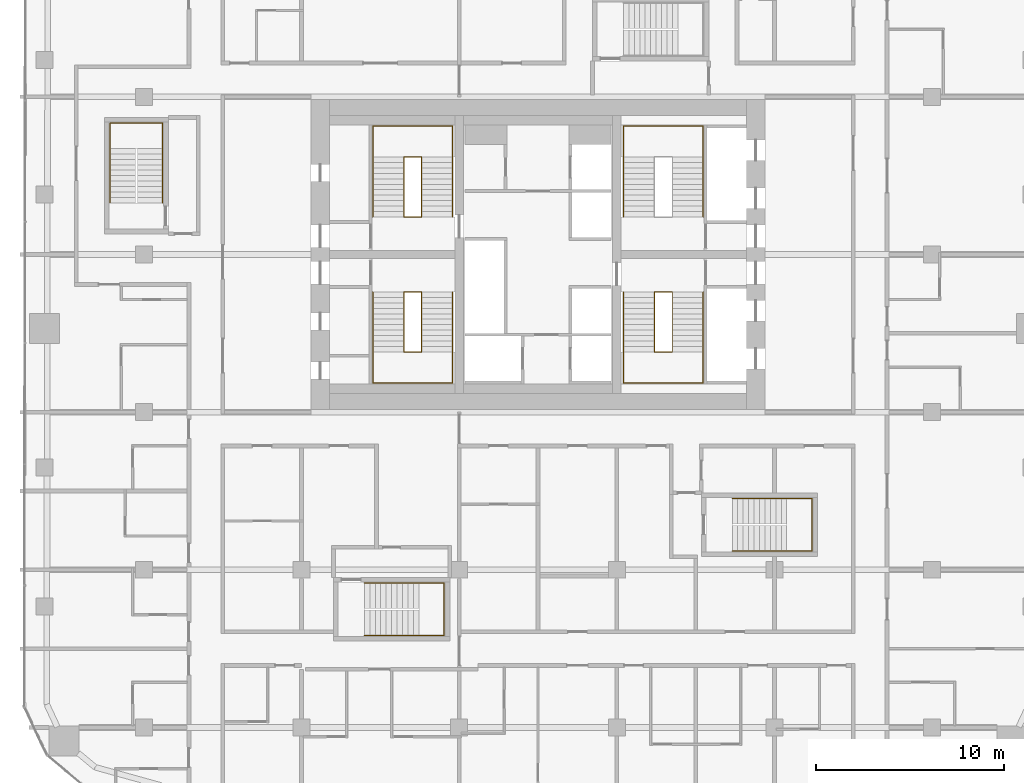
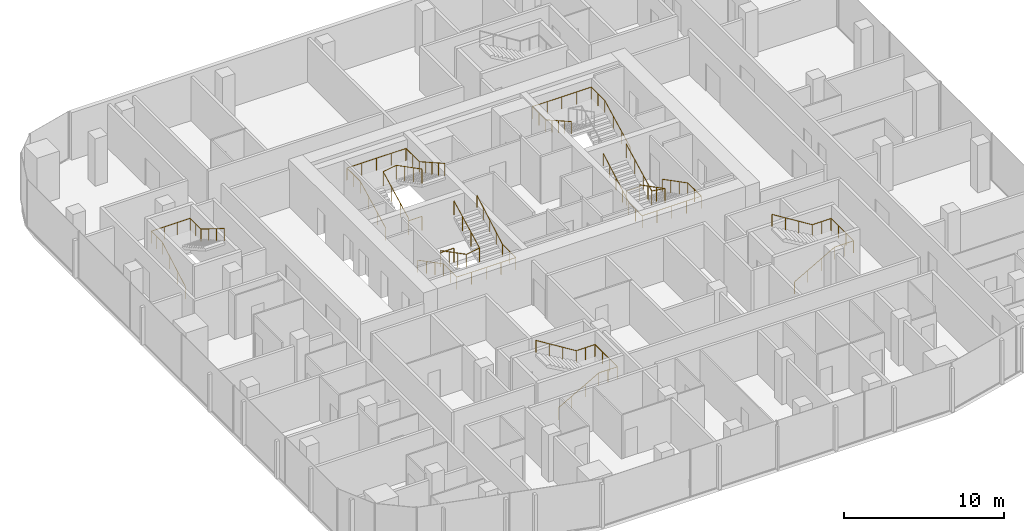
# One storey, part 22 of 23: 10 railings.
"""IFC4 building model written with IfcOpenShell, lengths in metres."""

from ifc_helpers import new_model, si_unit, direction, frame, origin, origin_2d, place, context, subcontext, project, spatial, circle, extrude, material, type_object, element, save


model = new_model("IFC4")

# Units and contexts
model_context = context("Model", 3, precision=1e-05, world=origin(), true_north=direction((0.0, 1.0)))
body_context = subcontext(model_context, "Body", "Model", "MODEL_VIEW")
ifc_project = project(units=[si_unit("LENGTHUNIT", "METRE"), si_unit("AREAUNIT", "SQUARE_METRE"), si_unit("VOLUMEUNIT", "CUBIC_METRE"), si_unit("PLANEANGLEUNIT", "RADIAN"), si_unit("MASSUNIT", "GRAM", prefix="KILO")], contexts=[model_context])

# Site, building, storey
site_placement = place(None, origin())
site = spatial("IfcSite", under=ifc_project, at=site_placement, CompositionType="ELEMENT")
building_placement = place(site_placement, origin())
building = spatial("IfcBuilding", under=site, at=building_placement, Name="Marenta Gate Hotel Tower", CompositionType="ELEMENT")
storey_placement = place(building_placement, frame((0.0, 0.0, 155.300048828125)))
storey = spatial("IfcBuildingStorey", under=building, at=storey_placement, Name="L36", CompositionType="ELEMENT", Elevation=155.300048828125)

# Railings
ifc_material_1 = material(Name="Stainless steel", Category="steel")
railing_type_1 = type_object("IfcRailingType", Name="Core stair handrail 950", PredefinedType="HANDRAIL", material=ifc_material_1)
railing_1_placement = place(storey_placement, frame((-8.800048828125, 6.39990234375, 0.14990234375)))
element("IfcRailing", 1, at=railing_1_placement, inside=storey, type_object=railing_type_1, Name="HR-950 L36-KR-ST1-1", PredefinedType="HANDRAIL", context=body_context, shape_type="SweptSolid", body=[
    extrude(circle(Radius=0.02392578125, at=origin_2d()), frame((0.0, 0.0, 0.92578125), z_axis=(0.0, -0.888197555067, 0.459461753765), x_axis=(1.0, 0.0, 0.0)), (0.0, 0.0, 1.0), 3.591552734375),
    extrude(circle(Radius=0.02392578125, at=origin_2d()), frame((0.0, -3.18994140625, 2.576171875), z_axis=(0.0, -1.0, 0.0), x_axis=(1.0, 0.0, 0.0)), (0.0, 0.0, 1.0), 1.659912109375),
    extrude(circle(Radius=0.02392578125, at=origin_2d()), frame((0.0, -4.849853515625, 2.576171875), z_axis=(1.0, 0.0, 0.0), x_axis=(0.0, 1.0, 0.0)), (0.0, 0.0, 1.0), 4.25),
    extrude(circle(Radius=0.02392578125, at=origin_2d()), frame((4.25, -4.849853515625, 2.576171875), z_axis=(0.0, 1.0, 0.0), x_axis=(-1.0, 0.0, 0.0)), (0.0, 0.0, 1.0), 1.659912109375),
    extrude(circle(Radius=0.02392578125, at=origin_2d()), frame((4.25, -3.18994140625, 2.576171875), z_axis=(0.0, 0.870937506535, 0.491393792911), x_axis=(-1.0, 0.0, 0.0)), (0.0, 0.0, 1.0), 3.66259765625),
    extrude(circle(Radius=0.02099609375, at=origin_2d()), origin(), (0.0, 0.0, 1.0), 0.90185546875),
    extrude(circle(Radius=0.02099609375, at=origin_2d()), frame((0.0, -1.063232421875, 0.550048828125)), (0.0, 0.0, 1.0), 0.90185546875),
    extrude(circle(Radius=0.02099609375, at=origin_2d()), frame((0.0, -2.126708984375, 1.10009765625)), (0.0, 0.0, 1.0), 0.90185546875),
    extrude(circle(Radius=0.02099609375, at=origin_2d()), frame((0.0, -3.18994140625, 1.650146484375)), (0.0, 0.0, 1.0), 0.90185546875),
    extrude(circle(Radius=0.02099609375, at=origin_2d()), frame((0.0, -4.02001953125, 1.650146484375)), (0.0, 0.0, 1.0), 0.90185546875),
    extrude(circle(Radius=0.02099609375, at=origin_2d()), frame((0.0, -4.849853515625, 1.650146484375)), (0.0, 0.0, 1.0), 0.90185546875),
    extrude(circle(Radius=0.02099609375, at=origin_2d()), frame((1.0625, -4.849853515625, 1.650146484375)), (0.0, 0.0, 1.0), 0.90185546875),
    extrude(circle(Radius=0.02099609375, at=origin_2d()), frame((2.125, -4.849853515625, 1.650146484375)), (0.0, 0.0, 1.0), 0.90185546875),
    extrude(circle(Radius=0.02099609375, at=origin_2d()), frame((3.1875, -4.849853515625, 1.650146484375)), (0.0, 0.0, 1.0), 0.90185546875),
    extrude(circle(Radius=0.02099609375, at=origin_2d()), frame((4.25, -4.849853515625, 1.650146484375)), (0.0, 0.0, 1.0), 0.90185546875),
    extrude(circle(Radius=0.02099609375, at=origin_2d()), frame((4.25, -4.02001953125, 1.650146484375)), (0.0, 0.0, 1.0), 0.90185546875),
    extrude(circle(Radius=0.02099609375, at=origin_2d()), frame((4.25, -3.18994140625, 1.650146484375)), (0.0, 0.0, 1.0), 0.90185546875),
    extrude(circle(Radius=0.02099609375, at=origin_2d()), frame((4.25, -2.392578125, 2.10009765625)), (0.0, 0.0, 1.0), 0.90185546875),
    extrude(circle(Radius=0.02099609375, at=origin_2d()), frame((4.25, -1.594970703125, 2.550048828125)), (0.0, 0.0, 1.0), 0.90185546875),
    extrude(circle(Radius=0.02099609375, at=origin_2d()), frame((4.25, -0.79736328125, 3.0)), (0.0, 0.0, 1.0), 0.90185546875),
    extrude(circle(Radius=0.02099609375, at=origin_2d()), frame((4.25, 0.0, 3.449951171875)), (0.0, 0.0, 1.0), 0.90185546875),
])
railing_2_placement = place(storey_placement, frame((-8.800048828125, 10.39990234375, 0.14990234375)))
element("IfcRailing", 2, at=railing_2_placement, inside=storey, type_object=railing_type_1, Name="HR-950 L36-KR-ST2-1", PredefinedType="HANDRAIL", context=body_context, shape_type="SweptSolid", body=[
    extrude(circle(Radius=0.02392578125, at=origin_2d()), frame((0.0, 0.0, 0.92578125), z_axis=(0.0, 0.888211904222, 0.459434013977), x_axis=(-1.0, 0.0, 0.0)), (0.0, 0.0, 1.0), 3.591796875),
    extrude(circle(Radius=0.02392578125, at=origin_2d()), frame((0.0, 3.190185546875, 2.576171875), z_axis=(0.0, 1.0, 0.0), x_axis=(-1.0, 0.0, 0.0)), (0.0, 0.0, 1.0), 1.659912109375),
    extrude(circle(Radius=0.02392578125, at=origin_2d()), frame((0.0, 4.85009765625, 2.576171875), z_axis=(1.0, 0.0, 0.0), x_axis=(0.0, 1.0, 0.0)), (0.0, 0.0, 1.0), 4.25),
    extrude(circle(Radius=0.02392578125, at=origin_2d()), frame((4.25, 4.85009765625, 2.576171875), z_axis=(0.0, -1.0, 0.0), x_axis=(1.0, 0.0, 0.0)), (0.0, 0.0, 1.0), 1.659912109375),
    extrude(circle(Radius=0.02392578125, at=origin_2d()), frame((4.25, 3.190185546875, 2.576171875), z_axis=(0.0, -0.870953600603, 0.491365266982), x_axis=(1.0, 0.0, 0.0)), (0.0, 0.0, 1.0), 3.662841796875),
    extrude(circle(Radius=0.02099609375, at=origin_2d()), origin(), (0.0, 0.0, 1.0), 0.90185546875),
    extrude(circle(Radius=0.02099609375, at=origin_2d()), frame((0.0, 1.0634765625, 0.550048828125)), (0.0, 0.0, 1.0), 0.90185546875),
    extrude(circle(Radius=0.02099609375, at=origin_2d()), frame((0.0, 2.126708984375, 1.10009765625)), (0.0, 0.0, 1.0), 0.90185546875),
    extrude(circle(Radius=0.02099609375, at=origin_2d()), frame((0.0, 3.190185546875, 1.650146484375)), (0.0, 0.0, 1.0), 0.90185546875),
    extrude(circle(Radius=0.02099609375, at=origin_2d()), frame((0.0, 4.02001953125, 1.650146484375)), (0.0, 0.0, 1.0), 0.90185546875),
    extrude(circle(Radius=0.02099609375, at=origin_2d()), frame((0.0, 4.85009765625, 1.650146484375)), (0.0, 0.0, 1.0), 0.90185546875),
    extrude(circle(Radius=0.02099609375, at=origin_2d()), frame((1.0625, 4.85009765625, 1.650146484375)), (0.0, 0.0, 1.0), 0.90185546875),
    extrude(circle(Radius=0.02099609375, at=origin_2d()), frame((2.125, 4.85009765625, 1.650146484375)), (0.0, 0.0, 1.0), 0.90185546875),
    extrude(circle(Radius=0.02099609375, at=origin_2d()), frame((3.1875, 4.85009765625, 1.650146484375)), (0.0, 0.0, 1.0), 0.90185546875),
    extrude(circle(Radius=0.02099609375, at=origin_2d()), frame((4.25, 4.85009765625, 1.650146484375)), (0.0, 0.0, 1.0), 0.90185546875),
    extrude(circle(Radius=0.02099609375, at=origin_2d()), frame((4.25, 4.02001953125, 1.650146484375)), (0.0, 0.0, 1.0), 0.90185546875),
    extrude(circle(Radius=0.02099609375, at=origin_2d()), frame((4.25, 3.190185546875, 1.650146484375)), (0.0, 0.0, 1.0), 0.90185546875),
    extrude(circle(Radius=0.02099609375, at=origin_2d()), frame((4.25, 2.392578125, 2.10009765625)), (0.0, 0.0, 1.0), 0.90185546875),
    extrude(circle(Radius=0.02099609375, at=origin_2d()), frame((4.25, 1.59521484375, 2.550048828125)), (0.0, 0.0, 1.0), 0.90185546875),
    extrude(circle(Radius=0.02099609375, at=origin_2d()), frame((4.25, 0.797607421875, 3.0)), (0.0, 0.0, 1.0), 0.90185546875),
    extrude(circle(Radius=0.02099609375, at=origin_2d()), frame((4.25, 0.0, 3.449951171875)), (0.0, 0.0, 1.0), 0.90185546875),
])
railing_3_placement = place(storey_placement, frame((8.800048828125, 6.39990234375, 0.14990234375)))
element("IfcRailing", 3, at=railing_3_placement, inside=storey, type_object=railing_type_1, Name="HR-950 L36-KR-ST3-1", PredefinedType="HANDRAIL", context=body_context, shape_type="SweptSolid", body=[
    extrude(circle(Radius=0.02392578125, at=origin_2d()), frame((0.0, 0.0, 0.92578125), z_axis=(0.0, -0.888197555067, 0.459461753765), x_axis=(1.0, 0.0, 0.0)), (0.0, 0.0, 1.0), 3.591552734375),
    extrude(circle(Radius=0.02392578125, at=origin_2d()), frame((0.0, -3.18994140625, 2.576171875), z_axis=(0.0, -1.0, 0.0), x_axis=(1.0, 0.0, 0.0)), (0.0, 0.0, 1.0), 1.659912109375),
    extrude(circle(Radius=0.02392578125, at=origin_2d()), frame((0.0, -4.849853515625, 2.576171875), z_axis=(-1.0, 0.0, 0.0), x_axis=(0.0, -1.0, 0.0)), (0.0, 0.0, 1.0), 4.25),
    extrude(circle(Radius=0.02392578125, at=origin_2d()), frame((-4.25, -4.849853515625, 2.576171875), z_axis=(0.0, 1.0, 0.0), x_axis=(-1.0, 0.0, 0.0)), (0.0, 0.0, 1.0), 1.659912109375),
    extrude(circle(Radius=0.02392578125, at=origin_2d()), frame((-4.25, -3.18994140625, 2.576171875), z_axis=(0.0, 0.870937506535, 0.491393792911), x_axis=(-1.0, 0.0, 0.0)), (0.0, 0.0, 1.0), 3.66259765625),
    extrude(circle(Radius=0.02099609375, at=origin_2d()), origin(), (0.0, 0.0, 1.0), 0.90185546875),
    extrude(circle(Radius=0.02099609375, at=origin_2d()), frame((0.0, -1.063232421875, 0.550048828125)), (0.0, 0.0, 1.0), 0.90185546875),
    extrude(circle(Radius=0.02099609375, at=origin_2d()), frame((0.0, -2.126708984375, 1.10009765625)), (0.0, 0.0, 1.0), 0.90185546875),
    extrude(circle(Radius=0.02099609375, at=origin_2d()), frame((0.0, -3.18994140625, 1.650146484375)), (0.0, 0.0, 1.0), 0.90185546875),
    extrude(circle(Radius=0.02099609375, at=origin_2d()), frame((0.0, -4.02001953125, 1.650146484375)), (0.0, 0.0, 1.0), 0.90185546875),
    extrude(circle(Radius=0.02099609375, at=origin_2d()), frame((0.0, -4.849853515625, 1.650146484375)), (0.0, 0.0, 1.0), 0.90185546875),
    extrude(circle(Radius=0.02099609375, at=origin_2d()), frame((-1.0625, -4.849853515625, 1.650146484375)), (0.0, 0.0, 1.0), 0.90185546875),
    extrude(circle(Radius=0.02099609375, at=origin_2d()), frame((-2.125, -4.849853515625, 1.650146484375)), (0.0, 0.0, 1.0), 0.90185546875),
    extrude(circle(Radius=0.02099609375, at=origin_2d()), frame((-3.1875, -4.849853515625, 1.650146484375)), (0.0, 0.0, 1.0), 0.90185546875),
    extrude(circle(Radius=0.02099609375, at=origin_2d()), frame((-4.25, -4.849853515625, 1.650146484375)), (0.0, 0.0, 1.0), 0.90185546875),
    extrude(circle(Radius=0.02099609375, at=origin_2d()), frame((-4.25, -4.02001953125, 1.650146484375)), (0.0, 0.0, 1.0), 0.90185546875),
    extrude(circle(Radius=0.02099609375, at=origin_2d()), frame((-4.25, -3.18994140625, 1.650146484375)), (0.0, 0.0, 1.0), 0.90185546875),
    extrude(circle(Radius=0.02099609375, at=origin_2d()), frame((-4.25, -2.392578125, 2.10009765625)), (0.0, 0.0, 1.0), 0.90185546875),
    extrude(circle(Radius=0.02099609375, at=origin_2d()), frame((-4.25, -1.594970703125, 2.550048828125)), (0.0, 0.0, 1.0), 0.90185546875),
    extrude(circle(Radius=0.02099609375, at=origin_2d()), frame((-4.25, -0.79736328125, 3.0)), (0.0, 0.0, 1.0), 0.90185546875),
    extrude(circle(Radius=0.02099609375, at=origin_2d()), frame((-4.25, 0.0, 3.449951171875)), (0.0, 0.0, 1.0), 0.90185546875),
])
railing_4_placement = place(storey_placement, frame((8.800048828125, 10.39990234375, 0.14990234375)))
element("IfcRailing", 4, at=railing_4_placement, inside=storey, type_object=railing_type_1, Name="HR-950 L36-KR-ST4-1", PredefinedType="HANDRAIL", context=body_context, shape_type="SweptSolid", body=[
    extrude(circle(Radius=0.02392578125, at=origin_2d()), frame((0.0, 0.0, 0.92578125), z_axis=(0.0, 0.888211904222, 0.459434013977), x_axis=(-1.0, 0.0, 0.0)), (0.0, 0.0, 1.0), 3.591796875),
    extrude(circle(Radius=0.02392578125, at=origin_2d()), frame((0.0, 3.190185546875, 2.576171875), z_axis=(0.0, 1.0, 0.0), x_axis=(-1.0, 0.0, 0.0)), (0.0, 0.0, 1.0), 1.659912109375),
    extrude(circle(Radius=0.02392578125, at=origin_2d()), frame((0.0, 4.85009765625, 2.576171875), z_axis=(-1.0, 0.0, 0.0), x_axis=(0.0, -1.0, 0.0)), (0.0, 0.0, 1.0), 4.25),
    extrude(circle(Radius=0.02392578125, at=origin_2d()), frame((-4.25, 4.85009765625, 2.576171875), z_axis=(0.0, -1.0, 0.0), x_axis=(1.0, 0.0, 0.0)), (0.0, 0.0, 1.0), 1.659912109375),
    extrude(circle(Radius=0.02392578125, at=origin_2d()), frame((-4.25, 3.190185546875, 2.576171875), z_axis=(0.0, -0.870953600603, 0.491365266982), x_axis=(1.0, 0.0, 0.0)), (0.0, 0.0, 1.0), 3.662841796875),
    extrude(circle(Radius=0.02099609375, at=origin_2d()), origin(), (0.0, 0.0, 1.0), 0.90185546875),
    extrude(circle(Radius=0.02099609375, at=origin_2d()), frame((0.0, 1.0634765625, 0.550048828125)), (0.0, 0.0, 1.0), 0.90185546875),
    extrude(circle(Radius=0.02099609375, at=origin_2d()), frame((0.0, 2.126708984375, 1.10009765625)), (0.0, 0.0, 1.0), 0.90185546875),
    extrude(circle(Radius=0.02099609375, at=origin_2d()), frame((0.0, 3.190185546875, 1.650146484375)), (0.0, 0.0, 1.0), 0.90185546875),
    extrude(circle(Radius=0.02099609375, at=origin_2d()), frame((0.0, 4.02001953125, 1.650146484375)), (0.0, 0.0, 1.0), 0.90185546875),
    extrude(circle(Radius=0.02099609375, at=origin_2d()), frame((0.0, 4.85009765625, 1.650146484375)), (0.0, 0.0, 1.0), 0.90185546875),
    extrude(circle(Radius=0.02099609375, at=origin_2d()), frame((-1.0625, 4.85009765625, 1.650146484375)), (0.0, 0.0, 1.0), 0.90185546875),
    extrude(circle(Radius=0.02099609375, at=origin_2d()), frame((-2.125, 4.85009765625, 1.650146484375)), (0.0, 0.0, 1.0), 0.90185546875),
    extrude(circle(Radius=0.02099609375, at=origin_2d()), frame((-3.1875, 4.85009765625, 1.650146484375)), (0.0, 0.0, 1.0), 0.90185546875),
    extrude(circle(Radius=0.02099609375, at=origin_2d()), frame((-4.25, 4.85009765625, 1.650146484375)), (0.0, 0.0, 1.0), 0.90185546875),
    extrude(circle(Radius=0.02099609375, at=origin_2d()), frame((-4.25, 4.02001953125, 1.650146484375)), (0.0, 0.0, 1.0), 0.90185546875),
    extrude(circle(Radius=0.02099609375, at=origin_2d()), frame((-4.25, 3.190185546875, 1.650146484375)), (0.0, 0.0, 1.0), 0.90185546875),
    extrude(circle(Radius=0.02099609375, at=origin_2d()), frame((-4.25, 2.392578125, 2.10009765625)), (0.0, 0.0, 1.0), 0.90185546875),
    extrude(circle(Radius=0.02099609375, at=origin_2d()), frame((-4.25, 1.59521484375, 2.550048828125)), (0.0, 0.0, 1.0), 0.90185546875),
    extrude(circle(Radius=0.02099609375, at=origin_2d()), frame((-4.25, 0.797607421875, 3.0)), (0.0, 0.0, 1.0), 0.90185546875),
    extrude(circle(Radius=0.02099609375, at=origin_2d()), frame((-4.25, 0.0, 3.449951171875)), (0.0, 0.0, 1.0), 0.90185546875),
])
railing_5_placement = place(storey_placement, frame((-22.800048828125, 11.14990234375, 0.16357421875)))
element("IfcRailing", 5, at=railing_5_placement, inside=storey, type_object=railing_type_1, Name="HR-950 L36-RS-Z1-3-KR-1", PredefinedType="HANDRAIL", context=body_context, shape_type="SweptSolid", body=[
    extrude(circle(Radius=0.02392578125, at=origin_2d()), frame((0.0, 0.0, 0.92578125), z_axis=(0.0, 0.870914908162, 0.491433843708), x_axis=(-1.0, 0.0, 0.0)), (0.0, 0.0, 1.0), 3.330078125),
    extrude(circle(Radius=0.02392578125, at=origin_2d()), frame((0.0, 2.900146484375, 2.5625), z_axis=(0.0, 1.0, 0.0), x_axis=(-1.0, 0.0, 0.0)), (0.0, 0.0, 1.0), 1.349853515625),
    extrude(circle(Radius=0.02392578125, at=origin_2d()), frame((0.0, 4.25, 2.5625), z_axis=(1.0, 0.0, 0.0), x_axis=(0.0, 1.0, 0.0)), (0.0, 0.0, 1.0), 2.800048828125),
    extrude(circle(Radius=0.02392578125, at=origin_2d()), frame((2.800048828125, 4.25, 2.5625), z_axis=(0.0, -1.0, 0.0), x_axis=(1.0, 0.0, 0.0)), (0.0, 0.0, 1.0), 1.349853515625),
    extrude(circle(Radius=0.02392578125, at=origin_2d()), frame((2.800048828125, 2.900146484375, 2.5625), z_axis=(0.0, -0.849677739116, 0.527302322819), x_axis=(1.0, 0.0, 0.0)), (0.0, 0.0, 1.0), 3.413330078125),
    extrude(circle(Radius=0.02099609375, at=origin_2d()), origin(), (0.0, 0.0, 1.0), 0.90185546875),
    extrude(circle(Radius=0.02099609375, at=origin_2d()), frame((0.0, 0.966796875, 0.54541015625)), (0.0, 0.0, 1.0), 0.90185546875),
    extrude(circle(Radius=0.02099609375, at=origin_2d()), frame((0.0, 1.933349609375, 1.091064453125)), (0.0, 0.0, 1.0), 0.90185546875),
    extrude(circle(Radius=0.02099609375, at=origin_2d()), frame((0.0, 2.900146484375, 1.636474609375)), (0.0, 0.0, 1.0), 0.90185546875),
    extrude(circle(Radius=0.02099609375, at=origin_2d()), frame((0.0, 3.5751953125, 1.636474609375)), (0.0, 0.0, 1.0), 0.90185546875),
    extrude(circle(Radius=0.02099609375, at=origin_2d()), frame((0.0, 4.25, 1.636474609375)), (0.0, 0.0, 1.0), 0.90185546875),
    extrude(circle(Radius=0.02099609375, at=origin_2d()), frame((0.933349609375, 4.25, 1.636474609375)), (0.0, 0.0, 1.0), 0.90185546875),
    extrude(circle(Radius=0.02099609375, at=origin_2d()), frame((1.86669921875, 4.25, 1.636474609375)), (0.0, 0.0, 1.0), 0.90185546875),
    extrude(circle(Radius=0.02099609375, at=origin_2d()), frame((2.800048828125, 4.25, 1.636474609375)), (0.0, 0.0, 1.0), 0.90185546875),
    extrude(circle(Radius=0.02099609375, at=origin_2d()), frame((2.800048828125, 3.5751953125, 1.636474609375)), (0.0, 0.0, 1.0), 0.90185546875),
    extrude(circle(Radius=0.02099609375, at=origin_2d()), frame((2.800048828125, 2.900146484375, 1.636474609375)), (0.0, 0.0, 1.0), 0.90185546875),
    extrude(circle(Radius=0.02099609375, at=origin_2d()), frame((2.800048828125, 1.933349609375, 2.236328125)), (0.0, 0.0, 1.0), 0.90185546875),
    extrude(circle(Radius=0.02099609375, at=origin_2d()), frame((2.800048828125, 0.966796875, 2.83642578125)), (0.0, 0.0, 1.0), 0.90185546875),
    extrude(circle(Radius=0.02099609375, at=origin_2d()), frame((2.800048828125, 0.0, 3.436279296875)), (0.0, 0.0, 1.0), 0.90185546875),
])
railing_6_placement = place(storey_placement, frame((-9.25, -11.89990234375, 0.16357421875)))
element("IfcRailing", 6, at=railing_6_placement, inside=storey, type_object=railing_type_1, Name="HR-950 L36-RS-Z2-1-KR-1", PredefinedType="HANDRAIL", context=body_context, shape_type="SweptSolid", body=[
    extrude(circle(Radius=0.02392578125, at=origin_2d()), frame((0.0, 0.0, 0.92578125), z_axis=(0.870897200241, 0.0, 0.491465224214), x_axis=(0.0, 1.0, 0.0)), (0.0, 0.0, 1.0), 3.329833984375),
    extrude(circle(Radius=0.02392578125, at=origin_2d()), frame((2.89990234375, 0.0, 2.5625), z_axis=(1.0, 0.0, 0.0), x_axis=(0.0, 1.0, 0.0)), (0.0, 0.0, 1.0), 1.35009765625),
    extrude(circle(Radius=0.02392578125, at=origin_2d()), frame((4.25, 0.0, 2.5625), z_axis=(0.0, 1.0, 0.0), x_axis=(-1.0, 0.0, 0.0)), (0.0, 0.0, 1.0), 2.7998046875),
    extrude(circle(Radius=0.02392578125, at=origin_2d()), frame((4.25, 2.7998046875, 2.5625), z_axis=(-1.0, 0.0, 0.0), x_axis=(0.0, -1.0, 0.0)), (0.0, 0.0, 1.0), 1.35009765625),
    extrude(circle(Radius=0.02392578125, at=origin_2d()), frame((2.89990234375, 2.7998046875, 2.5625), z_axis=(-0.849657849183, 0.0, 0.527334371458), x_axis=(0.0, -1.0, 0.0)), (0.0, 0.0, 1.0), 3.4130859375),
    extrude(circle(Radius=0.02099609375, at=origin_2d()), origin(), (0.0, 0.0, 1.0), 0.90185546875),
    extrude(circle(Radius=0.02099609375, at=origin_2d()), frame((0.966552734375, 0.0, 0.54541015625)), (0.0, 0.0, 1.0), 0.90185546875),
    extrude(circle(Radius=0.02099609375, at=origin_2d()), frame((1.933349609375, 0.0, 1.091064453125)), (0.0, 0.0, 1.0), 0.90185546875),
    extrude(circle(Radius=0.02099609375, at=origin_2d()), frame((2.89990234375, 0.0, 1.636474609375)), (0.0, 0.0, 1.0), 0.90185546875),
    extrude(circle(Radius=0.02099609375, at=origin_2d()), frame((3.574951171875, 0.0, 1.636474609375)), (0.0, 0.0, 1.0), 0.90185546875),
    extrude(circle(Radius=0.02099609375, at=origin_2d()), frame((4.25, 0.0, 1.636474609375)), (0.0, 0.0, 1.0), 0.90185546875),
    extrude(circle(Radius=0.02099609375, at=origin_2d()), frame((4.25, 0.933349609375, 1.636474609375)), (0.0, 0.0, 1.0), 0.90185546875),
    extrude(circle(Radius=0.02099609375, at=origin_2d()), frame((4.25, 1.866455078125, 1.636474609375)), (0.0, 0.0, 1.0), 0.90185546875),
    extrude(circle(Radius=0.02099609375, at=origin_2d()), frame((4.25, 2.7998046875, 1.636474609375)), (0.0, 0.0, 1.0), 0.90185546875),
    extrude(circle(Radius=0.02099609375, at=origin_2d()), frame((3.574951171875, 2.7998046875, 1.636474609375)), (0.0, 0.0, 1.0), 0.90185546875),
    extrude(circle(Radius=0.02099609375, at=origin_2d()), frame((2.89990234375, 2.7998046875, 1.636474609375)), (0.0, 0.0, 1.0), 0.90185546875),
    extrude(circle(Radius=0.02099609375, at=origin_2d()), frame((1.933349609375, 2.7998046875, 2.236328125)), (0.0, 0.0, 1.0), 0.90185546875),
    extrude(circle(Radius=0.02099609375, at=origin_2d()), frame((0.966552734375, 2.7998046875, 2.83642578125)), (0.0, 0.0, 1.0), 0.90185546875),
    extrude(circle(Radius=0.02099609375, at=origin_2d()), frame((0.0, 2.7998046875, 3.436279296875)), (0.0, 0.0, 1.0), 0.90185546875),
])
railing_7_placement = place(storey_placement, frame((10.35009765625, -7.39990234375, 0.16357421875)))
element("IfcRailing", 7, at=railing_7_placement, inside=storey, type_object=railing_type_1, Name="HR-950 L36-RS-Z2-2-KR-1", PredefinedType="HANDRAIL", context=body_context, shape_type="SweptSolid", body=[
    extrude(circle(Radius=0.02392578125, at=origin_2d()), frame((0.0, 0.0, 0.92578125), z_axis=(0.870897200241, 0.0, 0.491465224214), x_axis=(0.0, 1.0, 0.0)), (0.0, 0.0, 1.0), 3.329833984375),
    extrude(circle(Radius=0.02392578125, at=origin_2d()), frame((2.89990234375, 0.0, 2.5625), z_axis=(1.0, 0.0, 0.0), x_axis=(0.0, 1.0, 0.0)), (0.0, 0.0, 1.0), 1.35009765625),
    extrude(circle(Radius=0.02392578125, at=origin_2d()), frame((4.25, 0.0, 2.5625), z_axis=(0.0, 1.0, 0.0), x_axis=(-1.0, 0.0, 0.0)), (0.0, 0.0, 1.0), 2.7998046875),
    extrude(circle(Radius=0.02392578125, at=origin_2d()), frame((4.25, 2.7998046875, 2.5625), z_axis=(-1.0, 0.0, 0.0), x_axis=(0.0, -1.0, 0.0)), (0.0, 0.0, 1.0), 1.35009765625),
    extrude(circle(Radius=0.02392578125, at=origin_2d()), frame((2.89990234375, 2.7998046875, 2.5625), z_axis=(-0.849657849183, 0.0, 0.527334371458), x_axis=(0.0, -1.0, 0.0)), (0.0, 0.0, 1.0), 3.4130859375),
    extrude(circle(Radius=0.02099609375, at=origin_2d()), origin(), (0.0, 0.0, 1.0), 0.90185546875),
    extrude(circle(Radius=0.02099609375, at=origin_2d()), frame((0.966552734375, 0.0, 0.54541015625)), (0.0, 0.0, 1.0), 0.90185546875),
    extrude(circle(Radius=0.02099609375, at=origin_2d()), frame((1.933349609375, 0.0, 1.091064453125)), (0.0, 0.0, 1.0), 0.90185546875),
    extrude(circle(Radius=0.02099609375, at=origin_2d()), frame((2.89990234375, 0.0, 1.636474609375)), (0.0, 0.0, 1.0), 0.90185546875),
    extrude(circle(Radius=0.02099609375, at=origin_2d()), frame((3.574951171875, 0.0, 1.636474609375)), (0.0, 0.0, 1.0), 0.90185546875),
    extrude(circle(Radius=0.02099609375, at=origin_2d()), frame((4.25, 0.0, 1.636474609375)), (0.0, 0.0, 1.0), 0.90185546875),
    extrude(circle(Radius=0.02099609375, at=origin_2d()), frame((4.25, 0.933349609375, 1.636474609375)), (0.0, 0.0, 1.0), 0.90185546875),
    extrude(circle(Radius=0.02099609375, at=origin_2d()), frame((4.25, 1.866455078125, 1.636474609375)), (0.0, 0.0, 1.0), 0.90185546875),
    extrude(circle(Radius=0.02099609375, at=origin_2d()), frame((4.25, 2.7998046875, 1.636474609375)), (0.0, 0.0, 1.0), 0.90185546875),
    extrude(circle(Radius=0.02099609375, at=origin_2d()), frame((3.574951171875, 2.7998046875, 1.636474609375)), (0.0, 0.0, 1.0), 0.90185546875),
    extrude(circle(Radius=0.02099609375, at=origin_2d()), frame((2.89990234375, 2.7998046875, 1.636474609375)), (0.0, 0.0, 1.0), 0.90185546875),
    extrude(circle(Radius=0.02099609375, at=origin_2d()), frame((1.933349609375, 2.7998046875, 2.236328125)), (0.0, 0.0, 1.0), 0.90185546875),
    extrude(circle(Radius=0.02099609375, at=origin_2d()), frame((0.966552734375, 2.7998046875, 2.83642578125)), (0.0, 0.0, 1.0), 0.90185546875),
    extrude(circle(Radius=0.02099609375, at=origin_2d()), frame((0.0, 2.7998046875, 3.436279296875)), (0.0, 0.0, 1.0), 0.90185546875),
])
ifc_material_2 = material(Name="Stainless steel", Category="steel")
railing_type_2 = type_object("IfcRailingType", Name="Core stair well guard 1100", PredefinedType="GUARDRAIL", material=ifc_material_2)
railing_8_placement = place(storey_placement, frame((-6.199951171875, 6.39990234375, 0.0)))
element("IfcRailing", 8, at=railing_8_placement, inside=storey, type_object=railing_type_2, Name="GR-1100 L36-KR-ST1-2", PredefinedType="GUARDRAIL", context=body_context, shape_type="SweptSolid", body=[
    extrude(circle(Radius=0.02392578125, at=origin_2d()), frame((0.0, 0.0, 1.076171875), z_axis=(-1.0, 0.0, 0.0), x_axis=(0.0, -1.0, 0.0)), (0.0, 0.0, 1.0), 0.949951171875),
    extrude(circle(Radius=0.02392578125, at=origin_2d()), frame((-0.949951171875, 0.0, 1.076171875), z_axis=(0.0, 0.0, 1.0), x_axis=(1.0, 0.0, 0.0)), (0.0, 0.0, 1.0), 0.14990234375),
    extrude(circle(Radius=0.02392578125, at=origin_2d()), frame((-0.949951171875, 0.0, 1.22607421875), z_axis=(0.0, -0.888197555067, 0.459461753765), x_axis=(1.0, 0.0, 0.0)), (0.0, 0.0, 1.0), 3.591552734375),
    extrude(circle(Radius=0.02392578125, at=origin_2d()), frame((-0.949951171875, -3.18994140625, 2.8759765625), z_axis=(0.987777369502, 0.0, 0.15587131968), x_axis=(0.0, 1.0, 0.0)), (0.0, 0.0, 1.0), 0.961669921875),
    extrude(circle(Radius=0.02392578125, at=origin_2d()), frame((0.0, -3.18994140625, 3.02587890625), z_axis=(0.0, 0.888225295554, 0.459408123936), x_axis=(-1.0, 0.0, 0.0)), (0.0, 0.0, 1.0), 3.59130859375),
    extrude(circle(Radius=0.02099609375, at=origin_2d()), origin(), (0.0, 0.0, 1.0), 1.052001953125),
    extrude(circle(Radius=0.02099609375, at=origin_2d()), frame((-0.949951171875, 0.0, 0.0)), (0.0, 0.0, 1.0), 1.052001953125),
    extrude(circle(Radius=0.02099609375, at=origin_2d()), frame((-0.949951171875, 0.0, 0.14990234375)), (0.0, 0.0, 1.0), 1.052001953125),
    extrude(circle(Radius=0.02099609375, at=origin_2d()), frame((-0.949951171875, -1.063232421875, 0.699951171875)), (0.0, 0.0, 1.0), 1.052001953125),
    extrude(circle(Radius=0.02099609375, at=origin_2d()), frame((-0.949951171875, -2.126708984375, 1.25)), (0.0, 0.0, 1.0), 1.052001953125),
    extrude(circle(Radius=0.02099609375, at=origin_2d()), frame((-0.949951171875, -3.18994140625, 1.800048828125)), (0.0, 0.0, 1.0), 1.052001953125),
    extrude(circle(Radius=0.02099609375, at=origin_2d()), frame((0.0, -3.18994140625, 1.949951171875)), (0.0, 0.0, 1.0), 1.052001953125),
    extrude(circle(Radius=0.02099609375, at=origin_2d()), frame((0.0, -2.126708984375, 2.5)), (0.0, 0.0, 1.0), 1.052001953125),
    extrude(circle(Radius=0.02099609375, at=origin_2d()), frame((0.0, -1.063232421875, 3.0498046875)), (0.0, 0.0, 1.0), 1.052001953125),
    extrude(circle(Radius=0.02099609375, at=origin_2d()), frame((0.0, 0.0, 3.599853515625)), (0.0, 0.0, 1.0), 1.052001953125),
])
railing_9_placement = place(storey_placement, frame((-6.199951171875, 10.39990234375, 0.0)))
element("IfcRailing", 9, at=railing_9_placement, inside=storey, type_object=railing_type_2, Name="GR-1100 L36-KR-ST2-2", PredefinedType="GUARDRAIL", context=body_context, shape_type="SweptSolid", body=[
    extrude(circle(Radius=0.02392578125, at=origin_2d()), frame((0.0, 0.0, 1.076171875), z_axis=(-1.0, 0.0, 0.0), x_axis=(0.0, -1.0, 0.0)), (0.0, 0.0, 1.0), 0.949951171875),
    extrude(circle(Radius=0.02392578125, at=origin_2d()), frame((-0.949951171875, 0.0, 1.076171875), z_axis=(0.0, 0.0, 1.0), x_axis=(1.0, 0.0, 0.0)), (0.0, 0.0, 1.0), 0.14990234375),
    extrude(circle(Radius=0.02392578125, at=origin_2d()), frame((-0.949951171875, 0.0, 1.22607421875), z_axis=(0.0, 0.888211904222, 0.459434013977), x_axis=(-1.0, 0.0, 0.0)), (0.0, 0.0, 1.0), 3.591796875),
    extrude(circle(Radius=0.02392578125, at=origin_2d()), frame((-0.949951171875, 3.190185546875, 2.8759765625), z_axis=(0.987777369502, 0.0, 0.15587131968), x_axis=(0.0, 1.0, 0.0)), (0.0, 0.0, 1.0), 0.961669921875),
    extrude(circle(Radius=0.02392578125, at=origin_2d()), frame((0.0, 3.190185546875, 3.02587890625), z_axis=(0.0, -0.888239641807, 0.459380385653), x_axis=(1.0, 0.0, 0.0)), (0.0, 0.0, 1.0), 3.591552734375),
    extrude(circle(Radius=0.02099609375, at=origin_2d()), origin(), (0.0, 0.0, 1.0), 1.052001953125),
    extrude(circle(Radius=0.02099609375, at=origin_2d()), frame((-0.949951171875, 0.0, 0.0)), (0.0, 0.0, 1.0), 1.052001953125),
    extrude(circle(Radius=0.02099609375, at=origin_2d()), frame((-0.949951171875, 0.0, 0.14990234375)), (0.0, 0.0, 1.0), 1.052001953125),
    extrude(circle(Radius=0.02099609375, at=origin_2d()), frame((-0.949951171875, 1.0634765625, 0.699951171875)), (0.0, 0.0, 1.0), 1.052001953125),
    extrude(circle(Radius=0.02099609375, at=origin_2d()), frame((-0.949951171875, 2.126708984375, 1.25)), (0.0, 0.0, 1.0), 1.052001953125),
    extrude(circle(Radius=0.02099609375, at=origin_2d()), frame((-0.949951171875, 3.190185546875, 1.800048828125)), (0.0, 0.0, 1.0), 1.052001953125),
    extrude(circle(Radius=0.02099609375, at=origin_2d()), frame((0.0, 3.190185546875, 1.949951171875)), (0.0, 0.0, 1.0), 1.052001953125),
    extrude(circle(Radius=0.02099609375, at=origin_2d()), frame((0.0, 2.126708984375, 2.5)), (0.0, 0.0, 1.0), 1.052001953125),
    extrude(circle(Radius=0.02099609375, at=origin_2d()), frame((0.0, 1.0634765625, 3.0498046875)), (0.0, 0.0, 1.0), 1.052001953125),
    extrude(circle(Radius=0.02099609375, at=origin_2d()), frame((0.0, 0.0, 3.599853515625)), (0.0, 0.0, 1.0), 1.052001953125),
])
railing_10_placement = place(storey_placement, frame((6.199951171875, 6.39990234375, 0.0)))
element("IfcRailing", 10, at=railing_10_placement, inside=storey, type_object=railing_type_2, Name="GR-1100 L36-KR-ST3-2", PredefinedType="GUARDRAIL", context=body_context, shape_type="SweptSolid", body=[
    extrude(circle(Radius=0.02392578125, at=origin_2d()), frame((0.0, 0.0, 1.076171875), z_axis=(1.0, 0.0, 0.0), x_axis=(0.0, 1.0, 0.0)), (0.0, 0.0, 1.0), 0.949951171875),
    extrude(circle(Radius=0.02392578125, at=origin_2d()), frame((0.949951171875, 0.0, 1.076171875), z_axis=(0.0, 0.0, 1.0), x_axis=(1.0, 0.0, 0.0)), (0.0, 0.0, 1.0), 0.14990234375),
    extrude(circle(Radius=0.02392578125, at=origin_2d()), frame((0.949951171875, 0.0, 1.22607421875), z_axis=(0.0, -0.888197555067, 0.459461753765), x_axis=(1.0, 0.0, 0.0)), (0.0, 0.0, 1.0), 3.591552734375),
    extrude(circle(Radius=0.02392578125, at=origin_2d()), frame((0.949951171875, -3.18994140625, 2.8759765625), z_axis=(-0.987777369502, 0.0, 0.15587131968), x_axis=(0.0, -1.0, 0.0)), (0.0, 0.0, 1.0), 0.961669921875),
    extrude(circle(Radius=0.02392578125, at=origin_2d()), frame((0.0, -3.18994140625, 3.02587890625), z_axis=(0.0, 0.888225295554, 0.459408123936), x_axis=(-1.0, 0.0, 0.0)), (0.0, 0.0, 1.0), 3.59130859375),
    extrude(circle(Radius=0.02099609375, at=origin_2d()), origin(), (0.0, 0.0, 1.0), 1.052001953125),
    extrude(circle(Radius=0.02099609375, at=origin_2d()), frame((0.949951171875, 0.0, 0.0)), (0.0, 0.0, 1.0), 1.052001953125),
    extrude(circle(Radius=0.02099609375, at=origin_2d()), frame((0.949951171875, 0.0, 0.14990234375)), (0.0, 0.0, 1.0), 1.052001953125),
    extrude(circle(Radius=0.02099609375, at=origin_2d()), frame((0.949951171875, -1.063232421875, 0.699951171875)), (0.0, 0.0, 1.0), 1.052001953125),
    extrude(circle(Radius=0.02099609375, at=origin_2d()), frame((0.949951171875, -2.126708984375, 1.25)), (0.0, 0.0, 1.0), 1.052001953125),
    extrude(circle(Radius=0.02099609375, at=origin_2d()), frame((0.949951171875, -3.18994140625, 1.800048828125)), (0.0, 0.0, 1.0), 1.052001953125),
    extrude(circle(Radius=0.02099609375, at=origin_2d()), frame((0.0, -3.18994140625, 1.949951171875)), (0.0, 0.0, 1.0), 1.052001953125),
    extrude(circle(Radius=0.02099609375, at=origin_2d()), frame((0.0, -2.126708984375, 2.5)), (0.0, 0.0, 1.0), 1.052001953125),
    extrude(circle(Radius=0.02099609375, at=origin_2d()), frame((0.0, -1.063232421875, 3.0498046875)), (0.0, 0.0, 1.0), 1.052001953125),
    extrude(circle(Radius=0.02099609375, at=origin_2d()), frame((0.0, 0.0, 3.599853515625)), (0.0, 0.0, 1.0), 1.052001953125),
])

save(model, "model.ifc")
